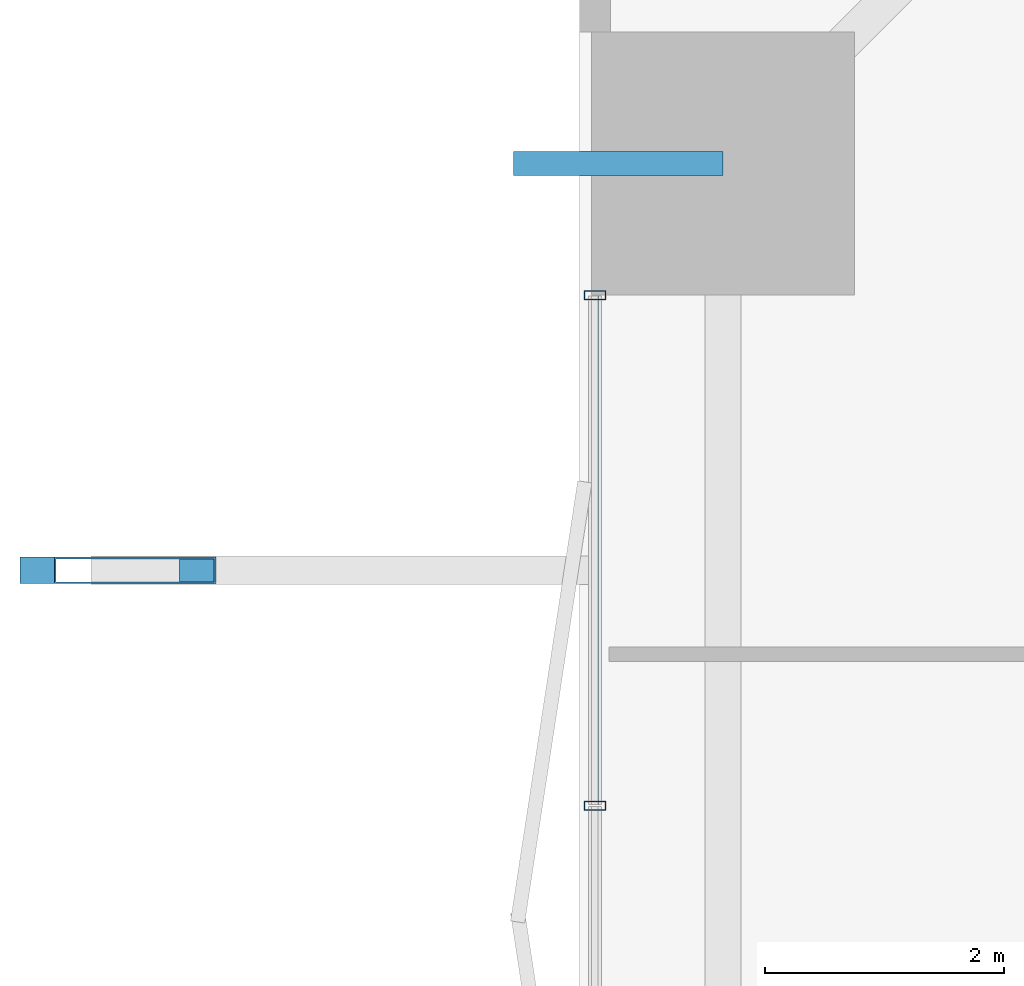
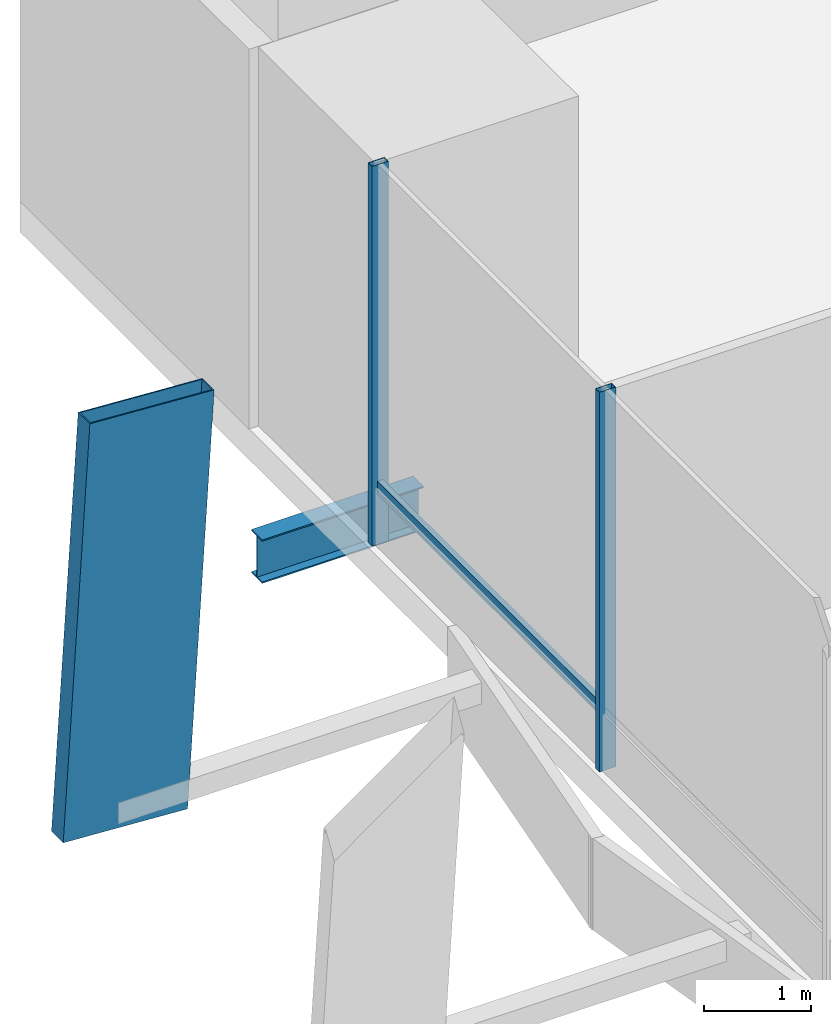
# One storey, part 11 of 24: 4 members, 1 beam, 1 element without a shape of its own.
"""IFC4 building model written with IfcOpenShell, lengths in metres."""

from ifc_helpers import new_model, si_unit, direction, frame, origin, origin_2d, place, context, subcontext, project, spatial, hollow_rectangle, i_section, extrude, material, layer, layer_set, material_profile, profile_set, type_object, element, aggregate, save


model = new_model("IFC4")

# Units and contexts
model_context = context("Model", 3, precision=1e-05, world=origin(), true_north=direction((0.0, 1.0)))
body_context = subcontext(model_context, "Body", "Model", "MODEL_VIEW")
ifc_project = project(units=[si_unit("LENGTHUNIT", "METRE"), si_unit("AREAUNIT", "SQUARE_METRE"), si_unit("VOLUMEUNIT", "CUBIC_METRE"), si_unit("PLANEANGLEUNIT", "RADIAN"), si_unit("MASSUNIT", "GRAM", prefix="KILO")], contexts=[model_context])

# Site, building, storey
site_placement = place(None, origin())
site = spatial("IfcSite", under=ifc_project, at=site_placement, CompositionType="ELEMENT")
building_placement = place(site_placement, origin())
building = spatial("IfcBuilding", under=site, at=building_placement, Name="Belovzor Exchange Tower", CompositionType="ELEMENT")
storey_placement = place(building_placement, frame((0.0, 0.0, 19.199951171875)))
storey = spatial("IfcBuildingStorey", under=building, at=storey_placement, Name="L04", CompositionType="ELEMENT", Elevation=19.199951171875)

# Member
ifc_material_1 = material(Name="Extruded Architectural Terracotta on Steel S355 Carrier", Category="masonry")
ifc_material_profile_1 = material_profile(ifc_material_1, hollow_rectangle(XDim=0.219970703125, YDim=1.35009765625, WallThickness=0.013916015625, at=origin_2d()))
ifc_profile_set_1 = profile_set([ifc_material_profile_1], Name="Extruded Architectural Terracotta on Steel S355 Carrier")
member_type_1 = type_object("IfcMemberType", Name="Base Arc Sweeping Terracotta Pylon Fin 1450", PredefinedType="USERDEFINED", material=ifc_profile_set_1)
member_1_placement = place(storey_placement, frame((-3.402099609375, 40.39990234375, -0.349853515625), z_axis=(0.061387304598, 0.0, 0.998114020959), x_axis=(0.0, 1.0, 0.0)))
element("IfcMember", 1, at=member_1_placement, inside=storey, type_object=member_type_1, Name="FIN-TC145 Terracotta Facade Fin L04 W4", ObjectType="FIN", PredefinedType="USERDEFINED", context=body_context, shape_type="SweptSolid", body=[
    extrude(hollow_rectangle(XDim=0.219970703125, YDim=1.35009765625, WallThickness=0.013916015625, at=origin_2d()), origin(), (0.0, 0.0, 1.0), 4.708740234375),
])

# Beam
ifc_material_2 = material(Name="Steel S355", Category="steel")
ifc_material_profile_2 = material_profile(ifc_material_2, i_section(OverallWidth=0.199951171875, OverallDepth=0.5, WebThickness=0.01025390625, FlangeThickness=0.01611328125, at=origin_2d()))
ifc_profile_set_2 = profile_set([ifc_material_profile_2], Name="Steel S355")
beam_type = type_object("IfcBeamType", Name="Planted Balcony Cantilever Beam IPE 500", PredefinedType="BEAM", material=ifc_profile_set_2)
beam_placement = place(storey_placement, frame((1.800048828125, 43.800048828125, -0.599853515625), z_axis=(-1.0, 0.0, 0.0), x_axis=(0.0, -1.0, 0.0)))
element("IfcBeam", 2, at=beam_placement, inside=storey, type_object=beam_type, Name="BC-500 Planted Balcony Cantilever Beam IPE 500", PredefinedType="BEAM", context=body_context, shape_type="SweptSolid", body=[
    extrude(i_section(OverallWidth=0.199951171875, OverallDepth=0.5, WebThickness=0.01025390625, FlangeThickness=0.01611328125, at=origin_2d()), origin(), (0.0, 0.0, 1.0), 1.75),
])

# Curtain wall, members
ifc_material_3 = material(Name="Anodised Aluminium Framing", Category="aluminium")
ifc_layer = layer(ifc_material_3, 0.2099609375)
ifc_layer_set = layer_set([ifc_layer], Name="Anodised Aluminium Framing")
curtain_wall_type = type_object("IfcCurtainWallType", Name="Double-Height Concourse & Gallery Curtain Wall", PredefinedType="NOTDEFINED", material=ifc_layer_set)
curtain_wall_placement = place(storey_placement, origin())
curtain_wall = element("IfcCurtainWall", 3, at=curtain_wall_placement, inside=storey, type_object=curtain_wall_type, Name="CW2 Double-Height Concourse & Gallery Curtain Wall L04", PredefinedType="NOTDEFINED")
ifc_material_4 = material(Name="Steel S355", Category="steel")
ifc_material_profile_3 = material_profile(ifc_material_4, hollow_rectangle(XDim=0.074951171875, YDim=0.179931640625, WallThickness=0.0048828125, at=origin_2d()))
ifc_profile_set_3 = profile_set([ifc_material_profile_3], Name="Steel S355")
member_type_2 = type_object("IfcMemberType", Name="Thermally Broken Curtain Wall Mullion 180x75", PredefinedType="MULLION", material=ifc_profile_set_3)
member_2_placement = place(storey_placement, frame((0.72998046875, 38.43310546875, 0.0), z_axis=(0.0, 0.0, 1.0), x_axis=(0.0, 1.0, 0.0)))
member_2 = element("IfcMember", 4, at=member_2_placement, type_object=member_type_2, Name="CW-M180 Curtain Wall Mullion 3", PredefinedType="MULLION", context=body_context, shape_type="SweptSolid", body=[
    extrude(hollow_rectangle(XDim=0.074951171875, YDim=0.179931640625, WallThickness=0.0048828125, at=origin_2d()), origin(), (0.0, 0.0, 1.0), 4.35009765625),
])
member_3_placement = place(storey_placement, frame((0.72998046875, 42.699951171875, 0.0), z_axis=(0.0, 0.0, 1.0), x_axis=(0.0, 1.0, 0.0)))
member_3 = element("IfcMember", 5, at=member_3_placement, type_object=member_type_2, Name="CW-M180 Curtain Wall Mullion 4", PredefinedType="MULLION", context=body_context, shape_type="SweptSolid", body=[
    extrude(hollow_rectangle(XDim=0.074951171875, YDim=0.179931640625, WallThickness=0.0048828125, at=origin_2d()), origin(), (0.0, 0.0, 1.0), 4.35009765625),
])
ifc_material_5 = material(Name="Steel S355", Category="steel")
ifc_material_profile_4 = material_profile(ifc_material_5, hollow_rectangle(XDim=0.06005859375, YDim=0.14990234375, WallThickness=0.00390625, at=origin_2d()))
ifc_profile_set_4 = profile_set([ifc_material_profile_4], Name="Steel S355")
member_type_3 = type_object("IfcMemberType", Name="Thermally Broken Curtain Wall Transom 150x60", PredefinedType="USERDEFINED", material=ifc_profile_set_4)
member_4_placement = place(storey_placement, frame((0.72998046875, 38.44091796875, 0.650146484375), z_axis=(0.0, 1.0, 0.0), x_axis=(-1.0, 0.0, 0.0)))
member_4 = element("IfcMember", 6, at=member_4_placement, type_object=member_type_3, Name="CW-T150 Curtain Wall Transom 3", ObjectType="TRANSOM", PredefinedType="USERDEFINED", context=body_context, shape_type="SweptSolid", body=[
    extrude(hollow_rectangle(XDim=0.06005859375, YDim=0.14990234375, WallThickness=0.00390625, at=origin_2d()), origin(), (0.0, 0.0, 1.0), 4.2509765625),
])
aggregate(curtain_wall, [member_2, member_3, member_4])

save(model, "model.ifc")
